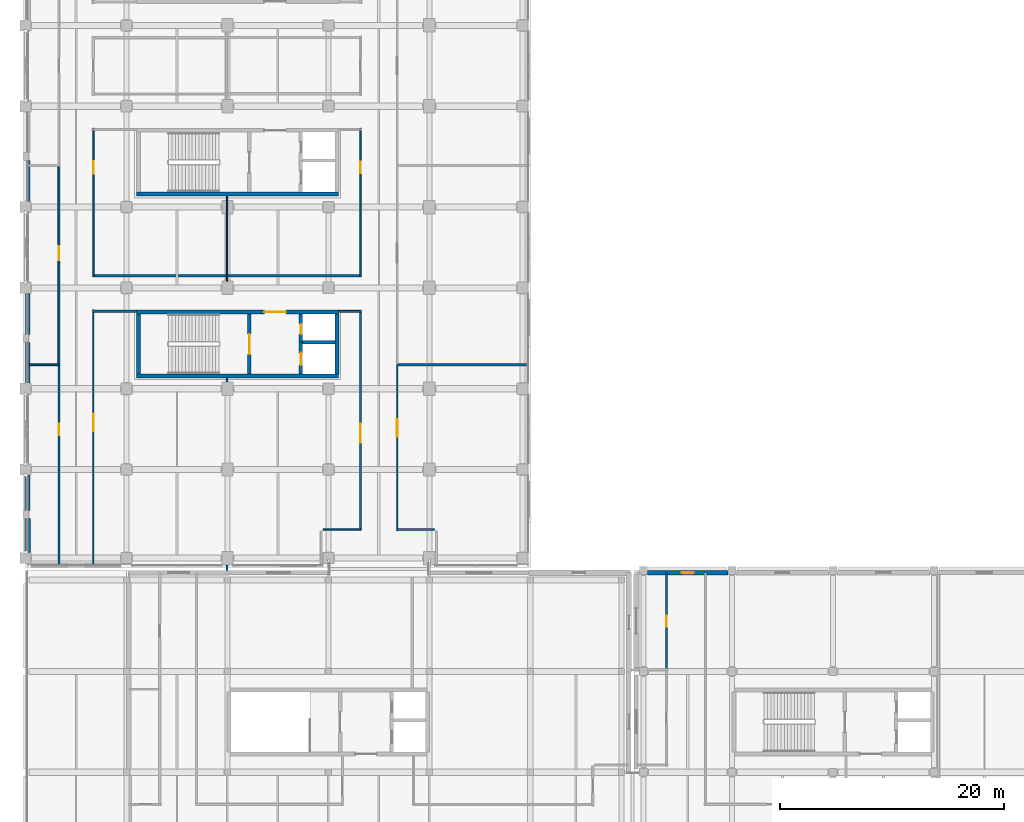
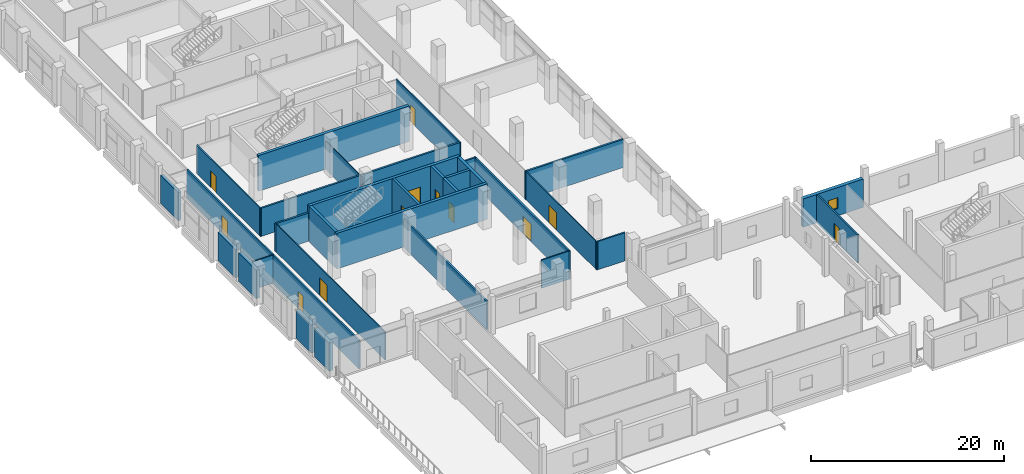
# One storey, part 67 of 111: 33 walls, 12 doors, 1 window, 13 openings.
"""IFC4 building model written with IfcOpenShell, lengths in metres."""

import ifcopenshell
import ifcopenshell.guid

model = None  # the IFC model being written
_history = None  # IfcOwnerHistory: only IFC2X3 demands one
_inside = {}  # id of a spatial element -> (the spatial element, [elements in it])
_under = {}  # id of a project, library or spatial element -> (it, [spatial elements below it])
_declared = {}  # id of a project -> (the project, [libraries it declares])
_typed = {}  # id of a type object -> (the type object, [elements of that type])
_made_of = {}  # id of a material, layer set ... -> (it, [elements and type objects made of it])


def new_model(schema):
    """Start an empty IFC model of exactly this schema.

    Asked for "IFC4X3", IfcOpenShell would pick the latest addendum, in which some entities
    have other attributes; the version numbers below select the first issue.
    IFC2X3 requires an IfcOwnerHistory on every rooted entity: one is made here for all.
    """
    global model, _history
    if schema == "IFC4X3":
        model = ifcopenshell.file(schema_version=(4, 3, 0, 0))
    else:
        model = ifcopenshell.file(schema=schema)
    _inside.clear()
    _under.clear()
    _declared.clear()
    _typed.clear()
    _made_of.clear()
    _history = None
    if model.schema == "IFC2X3":
        org = make("IfcOrganization", Name="unknown")
        user = make(
            "IfcPersonAndOrganization",
            ThePerson=make("IfcPerson", FamilyName="unknown"),
            TheOrganization=org,
        )
        app = make(
            "IfcApplication",
            ApplicationDeveloper=org,
            Version="unknown",
            ApplicationFullName="unknown",
            ApplicationIdentifier="unknown",
        )
        _history = make(
            "IfcOwnerHistory",
            OwningUser=user,
            OwningApplication=app,
            ChangeAction="ADDED",
            CreationDate=0,
        )
    return model


def make(cls, **values):
    """One entity of the class cls with the attributes given. An attribute that is None is left unset."""
    return model.create_entity(
        cls, **{name: value for name, value in values.items() if value is not None}
    )


def rooted(cls, **values):
    """An entity with a GlobalId (a new one), such as an element, a storey or a relation."""
    return make(cls, GlobalId=ifcopenshell.guid.new(), OwnerHistory=_history, **values)


def si_unit(unit_type, name, prefix=None):
    """IfcSIUnit, for example si_unit("LENGTHUNIT", "METRE", prefix="MILLI")."""
    return make("IfcSIUnit", UnitType=unit_type, Prefix=prefix, Name=name)


def assignment(units):
    """IfcUnitAssignment: the units of a project."""
    return None if units is None else make("IfcUnitAssignment", Units=units)


def point(xyz):
    """IfcCartesianPoint."""
    return None if xyz is None else make("IfcCartesianPoint", Coordinates=xyz)


def direction(xyz):
    """IfcDirection."""
    return None if xyz is None else make("IfcDirection", DirectionRatios=xyz)


def frame(location, z_axis=None, x_axis=None):
    """IfcAxis2Placement3D, a coordinate frame: its origin and axes. An axis left out is left unset."""
    return make(
        "IfcAxis2Placement3D",
        Location=point(location),
        Axis=direction(z_axis),
        RefDirection=direction(x_axis),
    )


def frame_2d(location, x_axis=None):
    """IfcAxis2Placement2D, a coordinate frame in the plane: its origin and x axis."""
    return make(
        "IfcAxis2Placement2D", Location=point(location), RefDirection=direction(x_axis)
    )


def origin():
    """The frame at (0, 0, 0) with its axes left unset."""
    return frame((0.0, 0.0, 0.0))


def place(relative_to, where):
    """IfcLocalPlacement: puts the frame where relative to a parent placement (None: the world)."""
    return make(
        "IfcLocalPlacement", PlacementRelTo=relative_to, RelativePlacement=where
    )


def context(
    kind, dimensions, precision=None, world=None, true_north=None, identifier=None
):
    """IfcGeometricRepresentationContext, for example the 3D "Model" context."""
    return make(
        "IfcGeometricRepresentationContext",
        ContextIdentifier=identifier,
        ContextType=kind,
        CoordinateSpaceDimension=dimensions,
        Precision=precision,
        WorldCoordinateSystem=world,
        TrueNorth=true_north,
    )


def subcontext(parent, identifier, kind, view, scale=None):
    """IfcGeometricRepresentationSubContext, for example "Body" below "Model"."""
    return make(
        "IfcGeometricRepresentationSubContext",
        ContextIdentifier=identifier,
        ContextType=kind,
        ParentContext=parent,
        TargetScale=scale,
        TargetView=view,
    )


def project(units=None, contexts=None):
    """IfcProject with its units and contexts."""
    return rooted(
        "IfcProject",
        Name="project",
        RepresentationContexts=contexts,
        UnitsInContext=assignment(units),
    )


def spatial(cls, under=None, at=None, **own):
    """A site, building, storey or space (cls), placed at a placement, below another one or the project."""
    s = rooted(cls, ObjectPlacement=at, **own)
    if under is not None:
        _under.setdefault(under.id(), (under, []))[1].append(s)
    return s


def profile(cls, at=None, kind="AREA", **sizes):
    """A parametric profile (cls). Its sizes go by their IFC names, for example OverallWidth=200.0."""
    return make(cls, ProfileType=kind, Position=at, **sizes)


def rectangle(**sizes):
    """IfcRectangleProfileDef."""
    return profile("IfcRectangleProfileDef", **sizes)


def extrude(swept, where, along, depth):
    """IfcExtrudedAreaSolid: the profile swept, set in the frame where, extruded along a direction by depth."""
    return make(
        "IfcExtrudedAreaSolid",
        SweptArea=swept,
        Position=where,
        ExtrudedDirection=direction(along),
        Depth=depth,
    )


def shape(context_of_items, identifier, shape_type, items):
    """IfcShapeRepresentation: the items that make up one representation, for example the "Body"."""
    return make(
        "IfcShapeRepresentation",
        ContextOfItems=context_of_items,
        RepresentationIdentifier=identifier,
        RepresentationType=shape_type,
        Items=items,
    )


def material(Name=None, Category=None):
    """IfcMaterial."""
    return make("IfcMaterial", Name=Name, Category=Category)


def layer(
    of_material, thickness, ventilated=None, Name=None, Category=None, Priority=None
):
    """IfcMaterialLayer: one layer of a wall or slab, of a material (None: an air gap)."""
    return make(
        "IfcMaterialLayer",
        Material=of_material,
        LayerThickness=thickness,
        IsVentilated=ventilated,
        Name=Name,
        Category=Category,
        Priority=Priority,
    )


def layer_set(layers, Name=None):
    """IfcMaterialLayerSet."""
    return make("IfcMaterialLayerSet", MaterialLayers=layers, LayerSetName=Name)


def made_of(thing, what):
    """Note that an element or type object is made of a material, layer set ...; save() writes the relation."""
    if what is not None:
        _made_of.setdefault(what.id(), (what, []))[1].append(thing)
    return thing


def type_object(cls, material=None, **own):
    """A type object (cls), such as IfcWallType, which elements share."""
    return made_of(rooted(cls, **own), material)


def element(
    cls,
    number,
    at=None,
    inside=None,
    cuts=None,
    type_object=None,
    material=None,
    context=None,
    identifier="Body",
    shape_type=None,
    held_by="IfcProductDefinitionShape",
    body=None,
    shapes=None,
    **own,
):
    """One element of the class cls, such as IfcWall. Its Tag is "e" and its number.

    at: its placement. inside: the storey or other place that contains it. cuts: it is an
    opening in that element (IfcRelVoidsElement). A single representation is given by context,
    identifier, shape_type and body (its items); several are given by shapes. held_by: the class
    of the entity that holds the representations. save() writes the other relations.
    """
    e = rooted(cls, Tag="e%d" % number, ObjectPlacement=at, **own)
    if body is not None:
        shapes = [shape(context, identifier, shape_type, body)]
    if shapes is not None:
        e.Representation = make(held_by, Representations=shapes)
    if inside is not None:
        _inside.setdefault(inside.id(), (inside, []))[1].append(e)
    if cuts is not None:
        rooted(
            "IfcRelVoidsElement", RelatingBuildingElement=cuts, RelatedOpeningElement=e
        )
    if type_object is not None:
        _typed.setdefault(type_object.id(), (type_object, []))[1].append(e)
    return made_of(e, material)


def fill(opening, filler):
    """IfcRelFillsElement: the door or window that sits in an opening."""
    return rooted(
        "IfcRelFillsElement",
        RelatingOpeningElement=opening,
        RelatedBuildingElement=filler,
    )


def aggregate(whole, parts):
    """IfcRelAggregates: a whole, such as a stair, and the parts it consists of."""
    return rooted("IfcRelAggregates", RelatingObject=whole, RelatedObjects=parts)


def save(model, path):
    """Write the relations noted so far, then the file.

    IfcRelAggregates (storeys below a building ...), IfcRelContainedInSpatialStructure (elements
    in a storey), IfcRelDefinesByType, IfcRelAssociatesMaterial and IfcRelDeclares: one each for
    every whole, place, type object, material and project.
    """
    for whole, parts in _under.values():
        aggregate(whole, parts)
    for where, things in _inside.values():
        rooted(
            "IfcRelContainedInSpatialStructure",
            RelatedElements=things,
            RelatingStructure=where,
        )
    for kind, things in _typed.values():
        rooted("IfcRelDefinesByType", RelatedObjects=things, RelatingType=kind)
    for what, things in _made_of.values():
        rooted("IfcRelAssociatesMaterial", RelatedObjects=things, RelatingMaterial=what)
    for by, libraries in _declared.values():
        rooted("IfcRelDeclares", RelatingContext=by, RelatedDefinitions=libraries)
    model.write(path)


model = new_model("IFC4")

# Units and contexts
model_context = context("Model", 3, precision=1e-05, world=origin(), true_north=direction((0.0, 1.0)))
body_context = subcontext(model_context, "Body", "Model", "MODEL_VIEW")
ifc_project = project(units=[si_unit("LENGTHUNIT", "METRE"), si_unit("AREAUNIT", "SQUARE_METRE"), si_unit("VOLUMEUNIT", "CUBIC_METRE"), si_unit("PLANEANGLEUNIT", "RADIAN"), si_unit("MASSUNIT", "GRAM", prefix="KILO"), si_unit("THERMODYNAMICTEMPERATUREUNIT", "KELVIN"), si_unit("POWERUNIT", "WATT")], contexts=[model_context])

# Site, building, storey
site_placement = place(None, origin())
site = spatial("IfcSite", under=ifc_project, at=site_placement, CompositionType="ELEMENT")
building_placement = place(site_placement, origin())
building = spatial("IfcBuilding", under=site, at=building_placement, Name="Sindhuravela Promenade Stadium", CompositionType="ELEMENT")
storey_placement = place(building_placement, frame((0.0, 0.0, 9.60009765625)))
storey = spatial("IfcBuildingStorey", under=building, at=storey_placement, Name="L02", CompositionType="ELEMENT", Elevation=9.60009765625)

# Walls
ifc_material_1 = material(Name="Terracotta clay brick masonry (15 MPa)", Category="masonry")
ifc_layer_1 = layer(ifc_material_1, 0.360107421875)
ifc_layer_set_1 = layer_set([ifc_layer_1], Name="Terracotta clay brick masonry (15 MPa)")
wall_type_1 = type_object("IfcWallType", Name="EX-WL-BRK360", PredefinedType="SOLIDWALL", material=ifc_layer_set_1)
wall_1_placement = place(storey_placement, frame((0.199951171875, 68.905029296875, 0.0), z_axis=(0.0, 0.0, 1.0), x_axis=(0.0, 1.0, 0.0)))
element("IfcWall", 1, at=wall_1_placement, inside=storey, type_object=wall_type_1, Name="Exterior masonry wall EW05 WEST L02", PredefinedType="SOLIDWALL", context=body_context, shape_type="SweptSolid", body=[
    extrude(rectangle(XDim=3.639892578125, YDim=0.360107421875, at=frame_2d((1.81982421875, 0.0))), origin(), (0.0, 0.0, 1.0), 3.579833984375),
])
ifc_layer_2 = layer(ifc_material_1, 0.3798828125)
ifc_layer_set_2 = layer_set([ifc_layer_2], Name="Terracotta clay brick masonry (15 MPa)")
wall_type_2 = type_object("IfcWallType", Name="EX-WL-BRK380", PredefinedType="SOLIDWALL", material=ifc_layer_set_2)
wall_2_placement = place(storey_placement, frame((0.199951171875, 57.054931640625, 0.0), z_axis=(0.0, 0.0, 1.0), x_axis=(0.0, 1.0, 0.0)))
element("IfcWall", 2, at=wall_2_placement, inside=storey, type_object=wall_type_2, Name="Exterior masonry wall EW04 WEST L02", PredefinedType="SOLIDWALL", context=body_context, shape_type="SweptSolid", body=[
    extrude(rectangle(XDim=3.64013671875, YDim=0.3798828125, at=frame_2d((1.820068359375, 0.0))), origin(), (0.0, 0.0, 1.0), 3.579833984375),
])
ifc_layer_3 = layer(ifc_material_1, 0.39990234375)
ifc_layer_set_3 = layer_set([ifc_layer_3], Name="Terracotta clay brick masonry (15 MPa)")
wall_type_3 = type_object("IfcWallType", Name="EX-WL-BRK400", PredefinedType="SOLIDWALL", material=ifc_layer_set_3)
wall_3_placement = place(storey_placement, frame((0.199951171875, 52.705078125, 0.0), z_axis=(0.0, 0.0, 1.0), x_axis=(0.0, 1.0, 0.0)))
element("IfcWall", 3, at=wall_3_placement, inside=storey, type_object=wall_type_3, Name="Exterior masonry wall EW03 WEST L02", PredefinedType="SOLIDWALL", context=body_context, shape_type="SweptSolid", body=[
    extrude(rectangle(XDim=3.639892578125, YDim=0.39990234375, at=frame_2d((1.81982421875, 0.0))), origin(), (0.0, 0.0, 1.0), 3.579833984375),
])
ifc_layer_4 = layer(ifc_material_1, 0.419921875)
ifc_layer_set_4 = layer_set([ifc_layer_4], Name="Terracotta clay brick masonry (15 MPa)")
wall_type_4 = type_object("IfcWallType", Name="EX-WL-BRK420", PredefinedType="SOLIDWALL", material=ifc_layer_set_4)
wall_4_placement = place(storey_placement, frame((0.199951171875, 41.35498046875, 0.0), z_axis=(0.0, 0.0, 1.0), x_axis=(0.0, 1.0, 0.0)))
element("IfcWall", 4, at=wall_4_placement, inside=storey, type_object=wall_type_4, Name="Exterior masonry wall EW02 WEST L02", PredefinedType="SOLIDWALL", context=body_context, shape_type="SweptSolid", body=[
    extrude(rectangle(XDim=3.14013671875, YDim=0.419921875, at=frame_2d((1.570068359375, 0.0))), origin(), (0.0, 0.0, 1.0), 3.579833984375),
])

# Wall, opening, window
wall_5_placement = place(storey_placement, frame((55.455078125, 35.800048828125, 0.0), z_axis=(0.0, 0.0, 1.0), x_axis=(1.0, 0.0, 0.0)))
wall_5 = element("IfcWall", 5, at=wall_5_placement, inside=storey, type_object=wall_type_4, Name="Exterior masonry wall EW02 SOUTH L02", PredefinedType="SOLIDWALL", context=body_context, shape_type="SweptSolid", body=[
    extrude(rectangle(XDim=7.18994140625, YDim=0.419921875, at=frame_2d((3.594970703125, 0.0))), origin(), (0.0, 0.0, 1.0), 3.579833984375),
])
opening_1_placement = place(wall_5_placement, frame((3.044921875, 0.0, 0.89990234375)))
opening_1 = element("IfcOpeningElement", 6, at=opening_1_placement, cuts=wall_5, Name="Opening W01", PredefinedType="OPENING", context=body_context, shape_type="SweptSolid", body=[
    extrude(rectangle(XDim=1.10009765625, YDim=1.39990234375, at=frame_2d((0.550048828125, 0.699951171875))), frame((0.0, 0.219970703125, 0.0), z_axis=(0.0, -1.0, 0.0), x_axis=(1.0, 0.0, 0.0)), (0.0, 0.0, 1.0), 0.43994140625),
])
ifc_material_2 = material(Name="Tempered laminated low-E glass", Category="glass")
window_type = type_object("IfcWindowType", Name="WN-FAC-1100x1400", PartitioningType="SINGLE_PANEL", PredefinedType="WINDOW", material=ifc_material_2)
window_placement = place(opening_1_placement, origin())
window = element("IfcWindow", 7, at=window_placement, inside=storey, type_object=window_type, Name="Window W01 SOUTH L02", OverallHeight=1.39990234375, OverallWidth=1.10009765625, PartitioningType="SINGLE_PANEL", PredefinedType="WINDOW", context=body_context, shape_type="SweptSolid", body=[
    extrude(rectangle(XDim=1.10009765625, YDim=1.39990234375, at=frame_2d((0.550048828125, 0.699951171875))), frame((0.0, 0.030029296875, 0.0), z_axis=(0.0, -1.0, 0.0), x_axis=(1.0, 0.0, 0.0)), (0.0, 0.0, 1.0), 0.06005859375),
])
fill(opening_1, window)

# Wall
ifc_layer_5 = layer(ifc_material_1, 0.4599609375)
ifc_layer_set_5 = layer_set([ifc_layer_5], Name="Terracotta clay brick masonry (15 MPa)")
wall_type_5 = type_object("IfcWallType", Name="EX-WL-BRK460", PredefinedType="SOLIDWALL", material=ifc_layer_set_5)
wall_6_placement = place(storey_placement, frame((0.199951171875, 37.60498046875, 0.0), z_axis=(0.0, 0.0, 1.0), x_axis=(0.0, 1.0, 0.0)))
element("IfcWall", 8, at=wall_6_placement, inside=storey, type_object=wall_type_5, Name="Exterior masonry wall EW01 WEST L02", PredefinedType="SOLIDWALL", context=body_context, shape_type="SweptSolid", body=[
    extrude(rectangle(XDim=3.0400390625, YDim=0.4599609375, at=frame_2d((1.52001953125, 0.0))), origin(), (0.0, 0.0, 1.0), 3.579833984375),
])

# Wall, opening, door
ifc_material_3 = material(Name="Fire-rated gypsum partition board", Category="gypsum")
ifc_layer_6 = layer(ifc_material_3, 0.110107421875)
ifc_layer_set_6 = layer_set([ifc_layer_6], Name="Fire-rated gypsum partition board")
wall_type_6 = type_object("IfcWallType", Name="IN-WL-PAR110", PredefinedType="PARTITIONING", material=ifc_layer_set_6)
wall_7_placement = place(storey_placement, frame((6.0400390625, 59.22998046875, 0.0), z_axis=(0.0, 0.0, 1.0), x_axis=(0.0, -1.0, 0.0)))
wall_7 = element("IfcWall", 9, at=wall_7_placement, inside=storey, type_object=wall_type_6, Name="Corridor partition IW06 West Club Lounge", PredefinedType="PARTITIONING", context=body_context, shape_type="SweptSolid", body=[
    extrude(rectangle(XDim=22.780029296875, YDim=0.110107421875, at=frame_2d((11.39013671875, 0.0))), origin(), (0.0, 0.0, 1.0), 3.559814453125),
])
opening_2_placement = place(wall_7_placement, frame((9.2626953125, 0.0, 0.0)))
opening_2 = element("IfcOpeningElement", 10, at=opening_2_placement, cuts=wall_7, Name="Opening ID02", PredefinedType="OPENING", context=body_context, shape_type="SweptSolid", body=[
    extrude(rectangle(XDim=1.550048828125, YDim=2.199951171875, at=frame_2d((0.77490234375, 1.10009765625))), frame((0.0, 0.06494140625, 0.0), z_axis=(0.0, -1.0, 0.0), x_axis=(1.0, 0.0, 0.0)), (0.0, 0.0, 1.0), 0.130126953125),
])
ifc_material_4 = material(Name="Architectural teak timber leaf", Category="wood")
door_type_1 = type_object("IfcDoorType", Name="DR-INT-1550x2200", OperationType="DOUBLE_DOOR_SINGLE_SWING", PredefinedType="DOOR", material=ifc_material_4)
door_1_placement = place(opening_2_placement, origin())
door_1 = element("IfcDoor", 11, at=door_1_placement, inside=storey, type_object=door_type_1, Name="West Club Lounge door", OperationType="DOUBLE_DOOR_SINGLE_SWING", OverallHeight=2.199951171875, OverallWidth=1.550048828125, PredefinedType="DOOR", context=body_context, shape_type="SweptSolid", body=[
    extrude(rectangle(XDim=1.550048828125, YDim=2.199951171875, at=frame_2d((0.77490234375, 1.10009765625))), frame((0.0, 0.02490234375, 0.0), z_axis=(0.0, -1.0, 0.0), x_axis=(1.0, 0.0, 0.0)), (0.0, 0.0, 1.0), 0.050048828125),
])
fill(opening_2, door_1)

wall_8_placement = place(storey_placement, frame((33.139892578125, 54.342041015625, 0.0), z_axis=(0.0, 0.0, 1.0), x_axis=(0.0, -1.0, 0.0)))
wall_8 = element("IfcWall", 12, at=wall_8_placement, inside=storey, type_object=wall_type_6, Name="Corridor partition IW06 Club Toilet Suite West L02", PredefinedType="PARTITIONING", context=body_context, shape_type="SweptSolid", body=[
    extrude(rectangle(XDim=14.802001953125, YDim=0.110107421875, at=frame_2d((7.40087890625, 0.0))), origin(), (0.0, 0.0, 1.0), 3.559814453125),
])
opening_3_placement = place(wall_8_placement, frame((4.878662109375, 0.0, 0.0)))
opening_3 = element("IfcOpeningElement", 13, at=opening_3_placement, cuts=wall_8, Name="Opening ID02", PredefinedType="OPENING", context=body_context, shape_type="SweptSolid", body=[
    extrude(rectangle(XDim=1.550048828125, YDim=2.199951171875, at=frame_2d((0.77490234375, 1.10009765625))), frame((0.0, 0.06494140625, 0.0), z_axis=(0.0, -1.0, 0.0), x_axis=(1.0, 0.0, 0.0)), (0.0, 0.0, 1.0), 0.130126953125),
])
door_2_placement = place(opening_3_placement, origin())
door_2 = element("IfcDoor", 14, at=door_2_placement, inside=storey, type_object=door_type_1, Name="Club Toilet Suite West L02 door", OperationType="DOUBLE_DOOR_SINGLE_SWING", OverallHeight=2.199951171875, OverallWidth=1.550048828125, PredefinedType="DOOR", context=body_context, shape_type="SweptSolid", body=[
    extrude(rectangle(XDim=1.550048828125, YDim=2.199951171875, at=frame_2d((0.77490234375, 1.10009765625))), frame((0.0, 0.02490234375, 0.0), z_axis=(0.0, -1.0, 0.0), x_axis=(1.0, 0.0, 0.0)), (0.0, 0.0, 1.0), 0.050048828125),
])
fill(opening_3, door_2)

# Wall
wall_9_placement = place(storey_placement, frame((17.949951171875, 69.373046875, 0.0), z_axis=(0.0, 0.0, 1.0), x_axis=(0.0, -1.0, 0.0)))
element("IfcWall", 15, at=wall_9_placement, inside=storey, type_object=wall_type_6, Name="Interior partition IW06 WEST L02", PredefinedType="PARTITIONING", context=body_context, shape_type="SweptSolid", body=[
    extrude(rectangle(XDim=7.571044921875, YDim=0.110107421875, at=frame_2d((3.78564453125, 0.0))), origin(), (0.0, 0.0, 1.0), 3.559814453125),
])

# Wall, opening, door
ifc_layer_7 = layer(ifc_material_3, 0.1298828125)
ifc_layer_set_7 = layer_set([ifc_layer_7], Name="Fire-rated gypsum partition board")
wall_type_7 = type_object("IfcWallType", Name="IN-WL-PAR130", PredefinedType="PARTITIONING", material=ifc_layer_set_7)
wall_10_placement = place(storey_placement, frame((29.860107421875, 62.169921875, 0.0), z_axis=(0.0, 0.0, 1.0), x_axis=(0.0, 1.0, 0.0)))
wall_10 = element("IfcWall", 16, at=wall_10_placement, inside=storey, type_object=wall_type_7, Name="Corridor partition IW05 VIP Coat and Concierge Room 6", PredefinedType="PARTITIONING", context=body_context, shape_type="SweptSolid", body=[
    extrude(rectangle(XDim=13.260009765625, YDim=0.1298828125, at=frame_2d((6.6298828125, 0.0))), origin(), (0.0, 0.0, 1.0), 3.559814453125),
])
opening_4_placement = place(wall_10_placement, frame((9.2548828125, 0.0, 0.0)))
opening_4 = element("IfcOpeningElement", 17, at=opening_4_placement, cuts=wall_10, Name="Opening ID08", PredefinedType="OPENING", context=body_context, shape_type="SweptSolid", body=[
    extrude(rectangle(XDim=1.0, YDim=2.10009765625, at=frame_2d((0.5, 1.050048828125))), frame((0.0, 0.074951171875, 0.0), z_axis=(0.0, -1.0, 0.0), x_axis=(1.0, 0.0, 0.0)), (0.0, 0.0, 1.0), 0.14990234375),
])
door_type_2 = type_object("IfcDoorType", Name="DR-INT-1000x2100", OperationType="NOTDEFINED", PredefinedType="DOOR", material=ifc_material_4)
door_3_placement = place(opening_4_placement, origin())
door_3 = element("IfcDoor", 18, at=door_3_placement, inside=storey, type_object=door_type_2, Name="VIP Coat and Concierge Room 6 door", OperationType="SINGLE_SWING_LEFT", OverallHeight=2.10009765625, OverallWidth=1.0, PredefinedType="DOOR", context=body_context, shape_type="SweptSolid", body=[
    extrude(rectangle(XDim=1.0, YDim=2.10009765625, at=frame_2d((0.5, 1.050048828125))), frame((0.0, 0.02490234375, 0.0), z_axis=(0.0, -1.0, 0.0), x_axis=(1.0, 0.0, 0.0)), (0.0, 0.0, 1.0), 0.050048828125),
])
fill(opening_4, door_3)

# Wall
ifc_layer_8 = layer(ifc_material_3, 0.14990234375)
ifc_layer_set_8 = layer_set([ifc_layer_8], Name="Fire-rated gypsum partition board")
wall_type_8 = type_object("IfcWallType", Name="IN-WL-PAR150", PredefinedType="PARTITIONING", material=ifc_layer_set_8)
wall_11_placement = place(storey_placement, frame((29.93994140625, 39.659912109375, 0.0), z_axis=(0.0, 0.0, 1.0), x_axis=(-1.0, 0.0, 0.0)))
element("IfcWall", 19, at=wall_11_placement, inside=storey, type_object=wall_type_8, Name="Interior partition IW04 WEST L02", PredefinedType="PARTITIONING", context=body_context, shape_type="SweptSolid", body=[
    extrude(rectangle(XDim=3.419921875, YDim=0.14990234375, at=frame_2d((1.7099609375, 0.0))), origin(), (0.0, 0.0, 1.0), 3.559814453125),
])

# Wall, opening, door
wall_12_placement = place(storey_placement, frame((6.0400390625, 75.429931640625, 0.0), z_axis=(0.0, 0.0, 1.0), x_axis=(0.0, -1.0, 0.0)))
wall_12 = element("IfcWall", 20, at=wall_12_placement, inside=storey, type_object=wall_type_8, Name="Corridor partition IW04 Club Finishing Kitchen West 4", PredefinedType="PARTITIONING", context=body_context, shape_type="SweptSolid", body=[
    extrude(rectangle(XDim=13.260009765625, YDim=0.14990234375, at=frame_2d((6.6298828125, 0.0))), origin(), (0.0, 0.0, 1.0), 3.559814453125),
])
opening_5_placement = place(wall_12_placement, frame((2.955078125, 0.0, 0.0)))
opening_5 = element("IfcOpeningElement", 21, at=opening_5_placement, cuts=wall_12, Name="Opening ID06", PredefinedType="OPENING", context=body_context, shape_type="SweptSolid", body=[
    extrude(rectangle(XDim=1.10009765625, YDim=2.10009765625, at=frame_2d((0.550048828125, 1.050048828125))), frame((0.0, 0.0849609375, 0.0), z_axis=(0.0, -1.0, 0.0), x_axis=(1.0, 0.0, 0.0)), (0.0, 0.0, 1.0), 0.169921875),
])
door_type_3 = type_object("IfcDoorType", Name="DR-INT-1100x2100", OperationType="NOTDEFINED", PredefinedType="DOOR", material=ifc_material_4)
door_4_placement = place(opening_5_placement, origin())
door_4 = element("IfcDoor", 22, at=door_4_placement, inside=storey, type_object=door_type_3, Name="Club Finishing Kitchen West 4 door", OperationType="SINGLE_SWING_LEFT", OverallHeight=2.10009765625, OverallWidth=1.10009765625, PredefinedType="DOOR", context=body_context, shape_type="SweptSolid", body=[
    extrude(rectangle(XDim=1.10009765625, YDim=2.10009765625, at=frame_2d((0.550048828125, 1.050048828125))), frame((0.0, 0.02490234375, 0.0), z_axis=(0.0, -1.0, 0.0), x_axis=(1.0, 0.0, 0.0)), (0.0, 0.0, 1.0), 0.050048828125),
])
fill(opening_5, door_4)

# Walls
wall_13_placement = place(storey_placement, frame((0.239990234375, 54.342041015625, 0.0), z_axis=(0.0, 0.0, 1.0), x_axis=(1.0, 0.0, 0.0)))
element("IfcWall", 23, at=wall_13_placement, inside=storey, type_object=wall_type_8, Name="Interior partition IW04 WEST L02", PredefinedType="PARTITIONING", context=body_context, shape_type="SweptSolid", body=[
    extrude(rectangle(XDim=2.800048828125, YDim=0.14990234375, at=frame_2d((1.39990234375, 0.0))), origin(), (0.0, 0.0, 1.0), 3.559814453125),
])
ifc_layer_9 = layer(ifc_material_3, 0.175048828125)
ifc_layer_set_9 = layer_set([ifc_layer_9], Name="Fire-rated gypsum partition board")
wall_type_9 = type_object("IfcWallType", Name="IN-WL-PAR175", PredefinedType="PARTITIONING", material=ifc_layer_set_9)
wall_14_placement = place(storey_placement, frame((27.902099609375, 59.110107421875, 0.0), z_axis=(0.0, 0.0, 1.0), x_axis=(1.0, 0.0, 0.0)))
element("IfcWall", 24, at=wall_14_placement, inside=storey, type_object=wall_type_9, Name="Interior partition IW03 WEST L02", PredefinedType="PARTITIONING", context=body_context, shape_type="SweptSolid", body=[
    extrude(rectangle(XDim=2.037841796875, YDim=0.175048828125, at=frame_2d((1.01904296875, 0.0))), origin(), (0.0, 0.0, 1.0), 3.559814453125),
])

# Wall, opening, door
wall_15_placement = place(storey_placement, frame((2.9599609375, 36.449951171875, 0.0), z_axis=(0.0, 0.0, 1.0), x_axis=(0.0, 1.0, 0.0)))
wall_15 = element("IfcWall", 25, at=wall_15_placement, inside=storey, type_object=wall_type_9, Name="Corridor partition IW03 West Club Lounge 9", PredefinedType="PARTITIONING", context=body_context, shape_type="SweptSolid", body=[
    extrude(rectangle(XDim=17.89208984375, YDim=0.175048828125, at=frame_2d((8.946044921875, 0.0))), origin(), (0.0, 0.0, 1.0), 3.559814453125),
])
opening_6_placement = place(wall_15_placement, frame((11.61328125, 0.0, 0.0)))
opening_6 = element("IfcOpeningElement", 26, at=opening_6_placement, cuts=wall_15, Name="Opening ID11", PredefinedType="OPENING", context=body_context, shape_type="SweptSolid", body=[
    extrude(rectangle(XDim=1.02001953125, YDim=2.159912109375, at=frame_2d((0.510009765625, 1.080078125))), frame((0.0, 0.097412109375, 0.0), z_axis=(0.0, -1.0, 0.0), x_axis=(1.0, 0.0, 0.0)), (0.0, 0.0, 1.0), 0.195068359375),
])
door_type_4 = type_object("IfcDoorType", Name="DR-INT-1020x2160", OperationType="NOTDEFINED", PredefinedType="DOOR", material=ifc_material_4)
door_5_placement = place(opening_6_placement, origin())
door_5 = element("IfcDoor", 27, at=door_5_placement, inside=storey, type_object=door_type_4, Name="West Club Lounge 9 door", OperationType="SINGLE_SWING_RIGHT", OverallHeight=2.159912109375, OverallWidth=1.02001953125, PredefinedType="DOOR", context=body_context, shape_type="SweptSolid", body=[
    extrude(rectangle(XDim=1.02001953125, YDim=2.159912109375, at=frame_2d((0.510009765625, 1.080078125))), frame((0.0, 0.02490234375, 0.0), z_axis=(0.0, -1.0, 0.0), x_axis=(1.0, 0.0, 0.0)), (0.0, 0.0, 1.0), 0.050048828125),
])
fill(opening_6, door_5)

wall_16_placement = place(storey_placement, frame((2.9599609375, 54.342041015625, 0.0), z_axis=(0.0, 0.0, 1.0), x_axis=(0.0, 1.0, 0.0)))
wall_16 = element("IfcWall", 28, at=wall_16_placement, inside=storey, type_object=wall_type_9, Name="Corridor partition IW03 Directors Reception Lounge 12", PredefinedType="PARTITIONING", context=body_context, shape_type="SweptSolid", body=[
    extrude(rectangle(XDim=17.77197265625, YDim=0.175048828125, at=frame_2d((8.885986328125, 0.0))), origin(), (0.0, 0.0, 1.0), 3.559814453125),
])
opening_7_placement = place(wall_16_placement, frame((9.31298828125, 0.0, 0.0)))
opening_7 = element("IfcOpeningElement", 29, at=opening_7_placement, cuts=wall_16, Name="Opening ID04", PredefinedType="OPENING", context=body_context, shape_type="SweptSolid", body=[
    extrude(rectangle(XDim=1.25, YDim=2.14990234375, at=frame_2d((0.625, 1.074951171875))), frame((0.0, 0.097412109375, 0.0), z_axis=(0.0, -1.0, 0.0), x_axis=(1.0, 0.0, 0.0)), (0.0, 0.0, 1.0), 0.195068359375),
])
door_type_5 = type_object("IfcDoorType", Name="DR-INT-1250x2150", OperationType="NOTDEFINED", PredefinedType="DOOR", material=ifc_material_4)
door_6_placement = place(opening_7_placement, origin())
door_6 = element("IfcDoor", 30, at=door_6_placement, inside=storey, type_object=door_type_5, Name="Directors Reception Lounge 12 door", OperationType="SINGLE_SWING_LEFT", OverallHeight=2.14990234375, OverallWidth=1.25, PredefinedType="DOOR", context=body_context, shape_type="SweptSolid", body=[
    extrude(rectangle(XDim=1.25, YDim=2.14990234375, at=frame_2d((0.625, 1.074951171875))), frame((0.0, 0.02490234375, 0.0), z_axis=(0.0, -1.0, 0.0), x_axis=(1.0, 0.0, 0.0)), (0.0, 0.0, 1.0), 0.050048828125),
])
fill(opening_7, door_6)

# Wall
ifc_layer_10 = layer(ifc_material_3, 0.195068359375)
ifc_layer_set_10 = layer_set([ifc_layer_10], Name="Fire-rated gypsum partition board")
wall_type_10 = type_object("IfcWallType", Name="IN-WL-PAR195", PredefinedType="PARTITIONING", material=ifc_layer_set_10)
wall_17_placement = place(storey_placement, frame((17.949951171875, 53.173095703125, 0.0), z_axis=(0.0, 0.0, 1.0), x_axis=(0.0, -1.0, 0.0)))
element("IfcWall", 31, at=wall_17_placement, inside=storey, type_object=wall_type_10, Name="Interior partition IW02 WEST L02", PredefinedType="PARTITIONING", context=body_context, shape_type="SweptSolid", body=[
    extrude(rectangle(XDim=17.18017578125, YDim=0.195068359375, at=frame_2d((8.590087890625, 0.0))), origin(), (0.0, 0.0, 1.0), 3.559814453125),
])

# Wall, opening, door
wall_18_placement = place(storey_placement, frame((29.860107421875, 39.5400390625, 0.0), z_axis=(0.0, 0.0, 1.0), x_axis=(0.0, 1.0, 0.0)))
wall_18 = element("IfcWall", 32, at=wall_18_placement, inside=storey, type_object=wall_type_10, Name="Corridor partition IW02 Accessible WC West L02", PredefinedType="PARTITIONING", context=body_context, shape_type="SweptSolid", body=[
    extrude(rectangle(XDim=19.68994140625, YDim=0.195068359375, at=frame_2d((9.844970703125, 0.0))), origin(), (0.0, 0.0, 1.0), 3.559814453125),
])
opening_8_placement = place(wall_18_placement, frame((7.827880859375, 0.0, 0.0)))
opening_8 = element("IfcOpeningElement", 33, at=opening_8_placement, cuts=wall_18, Name="Opening ID01", PredefinedType="OPENING", context=body_context, shape_type="SweptSolid", body=[
    extrude(rectangle(XDim=1.699951171875, YDim=2.199951171875, at=frame_2d((0.85009765625, 1.10009765625))), frame((0.0, 0.107421875, 0.0), z_axis=(0.0, -1.0, 0.0), x_axis=(1.0, 0.0, 0.0)), (0.0, 0.0, 1.0), 0.215087890625),
])
door_type_6 = type_object("IfcDoorType", Name="DR-INT-1700x2200", OperationType="DOUBLE_DOOR_SINGLE_SWING", PredefinedType="DOOR", material=ifc_material_4)
door_7_placement = place(opening_8_placement, origin())
door_7 = element("IfcDoor", 34, at=door_7_placement, inside=storey, type_object=door_type_6, Name="Accessible WC West L02 door", OperationType="DOUBLE_DOOR_SINGLE_SWING", OverallHeight=2.199951171875, OverallWidth=1.699951171875, PredefinedType="DOOR", context=body_context, shape_type="SweptSolid", body=[
    extrude(rectangle(XDim=1.699951171875, YDim=2.199951171875, at=frame_2d((0.85009765625, 1.10009765625))), frame((0.0, 0.02490234375, 0.0), z_axis=(0.0, -1.0, 0.0), x_axis=(1.0, 0.0, 0.0)), (0.0, 0.0, 1.0), 0.050048828125),
])
fill(opening_8, door_7)

# Wall
wall_19_placement = place(storey_placement, frame((36.47998046875, 39.659912109375, 0.0), z_axis=(0.0, 0.0, 1.0), x_axis=(-1.0, 0.0, 0.0)))
element("IfcWall", 35, at=wall_19_placement, inside=storey, type_object=wall_type_10, Name="Interior partition IW02 WEST L02", PredefinedType="PARTITIONING", context=body_context, shape_type="SweptSolid", body=[
    extrude(rectangle(XDim=3.419921875, YDim=0.195068359375, at=frame_2d((1.7099609375, 0.0))), origin(), (0.0, 0.0, 1.0), 3.559814453125),
])

# Wall, opening, door
wall_20_placement = place(storey_placement, frame((57.159912109375, 27.159912109375, 0.0), z_axis=(0.0, 0.0, 1.0), x_axis=(0.0, 1.0, 0.0)))
wall_20 = element("IfcWall", 36, at=wall_20_placement, inside=storey, type_object=wall_type_10, Name="Corridor partition IW02 Community Assembly Hall South 8", PredefinedType="PARTITIONING", context=body_context, shape_type="SweptSolid", body=[
    extrude(rectangle(XDim=8.64013671875, YDim=0.195068359375, at=frame_2d((4.320068359375, 0.0))), origin(), (0.0, 0.0, 1.0), 3.559814453125),
])
opening_9_placement = place(wall_20_placement, frame((3.820068359375, 0.0, 0.0)))
opening_9 = element("IfcOpeningElement", 37, at=opening_9_placement, cuts=wall_20, Name="Opening ID08", PredefinedType="OPENING", context=body_context, shape_type="SweptSolid", body=[
    extrude(rectangle(XDim=1.0, YDim=2.10009765625, at=frame_2d((0.5, 1.050048828125))), frame((0.0, 0.107421875, 0.0), z_axis=(0.0, -1.0, 0.0), x_axis=(1.0, 0.0, 0.0)), (0.0, 0.0, 1.0), 0.215087890625),
])
door_8_placement = place(opening_9_placement, origin())
door_8 = element("IfcDoor", 38, at=door_8_placement, inside=storey, type_object=door_type_2, Name="Community Assembly Hall South 8 door", OperationType="SINGLE_SWING_LEFT", OverallHeight=2.10009765625, OverallWidth=1.0, PredefinedType="DOOR", context=body_context, shape_type="SweptSolid", body=[
    extrude(rectangle(XDim=1.0, YDim=2.10009765625, at=frame_2d((0.5, 1.050048828125))), frame((0.0, 0.02490234375, 0.0), z_axis=(0.0, -1.0, 0.0), x_axis=(1.0, 0.0, 0.0)), (0.0, 0.0, 1.0), 0.050048828125),
])
fill(opening_9, door_8)

# Walls
ifc_layer_11 = layer(ifc_material_3, 0.219970703125)
ifc_layer_set_11 = layer_set([ifc_layer_11], Name="Fire-rated gypsum partition board")
wall_type_11 = type_object("IfcWallType", Name="IN-WL-PAR220", PredefinedType="PARTITIONING", material=ifc_layer_set_11)
wall_21_placement = place(storey_placement, frame((5.9599609375, 59.110107421875, 0.0), z_axis=(0.0, 0.0, 1.0), x_axis=(1.0, 0.0, 0.0)))
element("IfcWall", 39, at=wall_21_placement, inside=storey, type_object=wall_type_11, Name="Interior partition IW01 WEST L02", PredefinedType="PARTITIONING", context=body_context, shape_type="SweptSolid", body=[
    extrude(rectangle(XDim=3.93798828125, YDim=0.219970703125, at=frame_2d((1.968994140625, 0.0))), origin(), (0.0, 0.0, 1.0), 3.559814453125),
])
wall_22_placement = place(storey_placement, frame((44.76708984375, 54.342041015625, 0.0), z_axis=(0.0, 0.0, 1.0), x_axis=(-1.0, 0.0, 0.0)))
element("IfcWall", 40, at=wall_22_placement, inside=storey, type_object=wall_type_11, Name="Interior partition IW01 WEST L02", PredefinedType="PARTITIONING", context=body_context, shape_type="SweptSolid", body=[
    extrude(rectangle(XDim=11.70703125, YDim=0.219970703125, at=frame_2d((5.853515625, 0.0))), origin(), (0.0, 0.0, 1.0), 3.559814453125),
])
for number, where, z_axis, x_axis, name in (
    (41, (17.909912109375, 62.2900390625, 0.0), (0.0, 0.0, 1.0), (-1.0, 0.0, 0.0), "Interior partition IW01 WEST L02"),
    (42, (29.93994140625, 62.2900390625, 0.0), (0.0, 0.0, 1.0), (-1.0, 0.0, 0.0), "Interior partition IW01 WEST L02"),
):
    element("IfcWall", number, at=place(storey_placement, frame(where, z_axis=z_axis, x_axis=x_axis)), inside=storey, type_object=wall_type_11, Name=name, PredefinedType="PARTITIONING", context=body_context, shape_type="SweptSolid", body=[
        extrude(rectangle(XDim=11.949951171875, YDim=0.219970703125, at=frame_2d((5.97509765625, 0.0))), origin(), (0.0, 0.0, 1.0), 3.559814453125),
    ])

# Wall, opening, door
ifc_material_5 = material(Name="Concrete M50", Category="concrete")
ifc_layer_12 = layer(ifc_material_5, 0.300048828125)
ifc_layer_set_12 = layer_set([ifc_layer_12], Name="Concrete M50")
wall_type_12 = type_object("IfcWallType", Name="RC-SW-300", PredefinedType="SHEAR", material=ifc_layer_set_12)
wall_23_placement = place(storey_placement, frame((19.949951171875, 53.52490234375, 0.0), z_axis=(0.0, 0.0, 1.0), x_axis=(0.0, 1.0, 0.0)))
wall_23 = element("IfcWall", 43, at=wall_23_placement, inside=storey, type_object=wall_type_12, Name="Core shear wall C01-ST (L02)", PredefinedType="SHEAR", context=body_context, shape_type="SweptSolid", body=[
    extrude(rectangle(XDim=5.35009765625, YDim=0.300048828125, at=frame_2d((2.675048828125, 0.0))), origin(), (0.0, 0.0, 1.0), 4.5),
])
opening_10_placement = place(wall_23_placement, frame((1.75, 0.0, 0.0)))
opening_10 = element("IfcOpeningElement", 44, at=opening_10_placement, cuts=wall_23, Name="Opening FD01", PredefinedType="OPENING", context=body_context, shape_type="SweptSolid", body=[
    extrude(rectangle(XDim=1.800048828125, YDim=2.25, at=frame_2d((0.89990234375, 1.125))), frame((0.0, 0.159912109375, 0.0), z_axis=(0.0, -1.0, 0.0), x_axis=(1.0, 0.0, 0.0)), (0.0, 0.0, 1.0), 0.320068359375),
])
ifc_material_6 = material(Name="Architectural wrought steel E350", Category="steel")
door_type_7 = type_object("IfcDoorType", Name="DR-CORE-1800x2250", OperationType="DOUBLE_DOOR_SINGLE_SWING", PredefinedType="DOOR", material=ifc_material_6)
door_9_placement = place(opening_10_placement, origin())
door_9 = element("IfcDoor", 45, at=door_9_placement, inside=storey, type_object=door_type_7, Name="Stair ST01 lobby fire door (L02)", OperationType="DOUBLE_DOOR_SINGLE_SWING", OverallHeight=2.25, OverallWidth=1.800048828125, PredefinedType="DOOR", context=body_context, shape_type="SweptSolid", body=[
    extrude(rectangle(XDim=1.800048828125, YDim=2.25, at=frame_2d((0.89990234375, 1.125))), frame((0.0, 0.02490234375, 0.0), z_axis=(0.0, -1.0, 0.0), x_axis=(1.0, 0.0, 0.0)), (0.0, 0.0, 1.0), 0.050048828125),
])
fill(opening_10, door_9)

wall_24_placement = place(storey_placement, frame((24.550048828125, 53.52490234375, 0.0), z_axis=(0.0, 0.0, 1.0), x_axis=(0.0, 1.0, 0.0)))
wall_24 = element("IfcWall", 46, at=wall_24_placement, inside=storey, type_object=wall_type_12, Name="Core shear wall C01-LFT (L02)", PredefinedType="SHEAR", context=body_context, shape_type="SweptSolid", body=[
    extrude(rectangle(XDim=2.8251953125, YDim=0.300048828125, at=frame_2d((1.41259765625, 0.0))), origin(), (0.0, 0.0, 1.0), 4.5),
])
opening_11_placement = place(wall_24_placement, frame((0.77490234375, 0.0, 0.0)))
opening_11 = element("IfcOpeningElement", 47, at=opening_11_placement, cuts=wall_24, Name="Opening LD", PredefinedType="OPENING", context=body_context, shape_type="SweptSolid", body=[
    extrude(rectangle(XDim=1.10009765625, YDim=2.10009765625, at=frame_2d((0.550048828125, 1.050048828125))), frame((0.0, 0.159912109375, 0.0), z_axis=(0.0, -1.0, 0.0), x_axis=(1.0, 0.0, 0.0)), (0.0, 0.0, 1.0), 0.320068359375),
])
door_type_8 = type_object("IfcDoorType", Name="DR-LFT-1100x2100", OperationType="DOUBLE_DOOR_SLIDING", PredefinedType="DOOR", material=ifc_material_6)
door_10_placement = place(opening_11_placement, origin())
door_10 = element("IfcDoor", 48, at=door_10_placement, inside=storey, type_object=door_type_8, Name="Lift FL01 landing door (L02)", OperationType="DOUBLE_DOOR_SLIDING", OverallHeight=2.10009765625, OverallWidth=1.10009765625, PredefinedType="DOOR", context=body_context, shape_type="SweptSolid", body=[
    extrude(rectangle(XDim=1.10009765625, YDim=2.10009765625, at=frame_2d((0.550048828125, 1.050048828125))), frame((0.0, 0.02490234375, 0.0), z_axis=(0.0, -1.0, 0.0), x_axis=(1.0, 0.0, 0.0)), (0.0, 0.0, 1.0), 0.050048828125),
])
fill(opening_11, door_10)

wall_25_placement = place(storey_placement, frame((24.550048828125, 56.35009765625, 0.0), z_axis=(0.0, 0.0, 1.0), x_axis=(0.0, 1.0, 0.0)))
wall_25 = element("IfcWall", 49, at=wall_25_placement, inside=storey, type_object=wall_type_12, Name="Core shear wall C01-RSR (L02)", PredefinedType="SHEAR", context=body_context, shape_type="SweptSolid", body=[
    extrude(rectangle(XDim=2.52490234375, YDim=0.300048828125, at=frame_2d((1.262451171875, 0.0))), origin(), (0.0, 0.0, 1.0), 4.5),
])
opening_12_placement = place(wall_25_placement, frame((0.72509765625, 0.0, 0.0)))
opening_12 = element("IfcOpeningElement", 50, at=opening_12_placement, cuts=wall_25, Name="Opening FD03", PredefinedType="OPENING", context=body_context, shape_type="SweptSolid", body=[
    extrude(rectangle(XDim=0.89990234375, YDim=2.10009765625, at=frame_2d((0.449951171875, 1.050048828125))), frame((0.0, 0.159912109375, 0.0), z_axis=(0.0, -1.0, 0.0), x_axis=(1.0, 0.0, 0.0)), (0.0, 0.0, 1.0), 0.320068359375),
])
door_type_9 = type_object("IfcDoorType", Name="DR-RSR-900x2100", OperationType="NOTDEFINED", PredefinedType="DOOR", material=ifc_material_6)
door_11_placement = place(opening_12_placement, origin())
door_11 = element("IfcDoor", 51, at=door_11_placement, inside=storey, type_object=door_type_9, Name="Riser shaft access door C01 (L02)", OperationType="SINGLE_SWING_LEFT", OverallHeight=2.10009765625, OverallWidth=0.89990234375, PredefinedType="DOOR", context=body_context, shape_type="SweptSolid", body=[
    extrude(rectangle(XDim=0.89990234375, YDim=2.10009765625, at=frame_2d((0.449951171875, 1.050048828125))), frame((0.0, 0.02490234375, 0.0), z_axis=(0.0, -1.0, 0.0), x_axis=(1.0, 0.0, 0.0)), (0.0, 0.0, 1.0), 0.050048828125),
])
fill(opening_12, door_11)

# Walls
wall_26_placement = place(storey_placement, frame((24.699951171875, 56.35009765625, 0.0), z_axis=(0.0, 0.0, 1.0), x_axis=(1.0, 0.0, 0.0)))
element("IfcWall", 52, at=wall_26_placement, inside=storey, type_object=wall_type_12, Name="Core shear wall C01-DIV (L02)", PredefinedType="SHEAR", context=body_context, shape_type="SweptSolid", body=[
    extrude(rectangle(XDim=2.875, YDim=0.300048828125, at=frame_2d((1.4375, 0.0))), origin(), (0.0, 0.0, 1.0), 4.5),
])
ifc_layer_13 = layer(ifc_material_5, 0.35009765625)
ifc_layer_set_13 = layer_set([ifc_layer_13], Name="Concrete M50")
wall_type_13 = type_object("IfcWallType", Name="RC-SW-350", PredefinedType="SHEAR", material=ifc_layer_set_13)
wall_27_placement = place(storey_placement, frame((9.89990234375, 53.35009765625, 0.0), z_axis=(0.0, 0.0, 1.0), x_axis=(1.0, 0.0, 0.0)))
element("IfcWall", 53, at=wall_27_placement, inside=storey, type_object=wall_type_13, Name="Core shear wall C01-S (L02)", PredefinedType="SHEAR", context=body_context, shape_type="SweptSolid", body=[
    extrude(rectangle(XDim=18.0, YDim=0.35009765625, at=frame_2d((9.0, 0.0))), origin(), (0.0, 0.0, 1.0), 4.5),
])

# Wall, opening, door
wall_28_placement = place(storey_placement, frame((27.89990234375, 59.050048828125, 0.0), z_axis=(0.0, 0.0, 1.0), x_axis=(-1.0, 0.0, 0.0)))
wall_28 = element("IfcWall", 54, at=wall_28_placement, inside=storey, type_object=wall_type_13, Name="Core shear wall C01-N (L02)", PredefinedType="SHEAR", context=body_context, shape_type="SweptSolid", body=[
    extrude(rectangle(XDim=18.0, YDim=0.35009765625, at=frame_2d((9.0, 0.0))), origin(), (0.0, 0.0, 1.0), 4.5),
])
opening_13_placement = place(wall_28_placement, frame((4.699951171875, 0.0, 0.0)))
opening_13 = element("IfcOpeningElement", 55, at=opening_13_placement, cuts=wall_28, Name="Opening FD02", PredefinedType="OPENING", context=body_context, shape_type="SweptSolid", body=[
    extrude(rectangle(XDim=1.89990234375, YDim=2.25, at=frame_2d((0.949951171875, 1.125))), frame((0.0, 0.18505859375, 0.0), z_axis=(0.0, -1.0, 0.0), x_axis=(1.0, 0.0, 0.0)), (0.0, 0.0, 1.0), 0.3701171875),
])
door_type_10 = type_object("IfcDoorType", Name="DR-LOB-1900x2250", OperationType="DOUBLE_DOOR_SINGLE_SWING", PredefinedType="DOOR", material=ifc_material_6)
door_12_placement = place(opening_13_placement, origin())
door_12 = element("IfcDoor", 56, at=door_12_placement, inside=storey, type_object=door_type_10, Name="Protected lobby entrance door C01 (L02)", OperationType="DOUBLE_DOOR_SINGLE_SWING", OverallHeight=2.25, OverallWidth=1.89990234375, PredefinedType="DOOR", context=body_context, shape_type="SweptSolid", body=[
    extrude(rectangle(XDim=1.89990234375, YDim=2.25, at=frame_2d((0.949951171875, 1.125))), frame((0.0, 0.02490234375, 0.0), z_axis=(0.0, -1.0, 0.0), x_axis=(1.0, 0.0, 0.0)), (0.0, 0.0, 1.0), 0.050048828125),
])
fill(opening_13, door_12)

# Walls
for number, where, z_axis, x_axis, name in (
    (57, (10.050048828125, 58.875, 0.0), (0.0, 0.0, 1.0), (0.0, -1.0, 0.0), "Core shear wall C01-W (L02)"),
    (58, (27.75, 53.52490234375, 0.0), (0.0, 0.0, 1.0), (0.0, 1.0, 0.0), "Core shear wall C01-E (L02)"),
):
    element("IfcWall", number, at=place(storey_placement, frame(where, z_axis=z_axis, x_axis=x_axis)), inside=storey, type_object=wall_type_13, Name=name, PredefinedType="SHEAR", context=body_context, shape_type="SweptSolid", body=[
        extrude(rectangle(XDim=5.35009765625, YDim=0.35009765625, at=frame_2d((2.675048828125, 0.0))), origin(), (0.0, 0.0, 1.0), 4.5),
    ])
wall_29_placement = place(storey_placement, frame((9.89990234375, 69.550048828125, 0.0), z_axis=(0.0, 0.0, 1.0), x_axis=(1.0, 0.0, 0.0)))
element("IfcWall", 59, at=wall_29_placement, inside=storey, type_object=wall_type_13, Name="Core shear wall C02-S (L02)", PredefinedType="SHEAR", context=body_context, shape_type="SweptSolid", body=[
    extrude(rectangle(XDim=18.0, YDim=0.35009765625, at=frame_2d((9.0, 0.0))), origin(), (0.0, 0.0, 1.0), 4.5),
])

save(model, "model.ifc")
